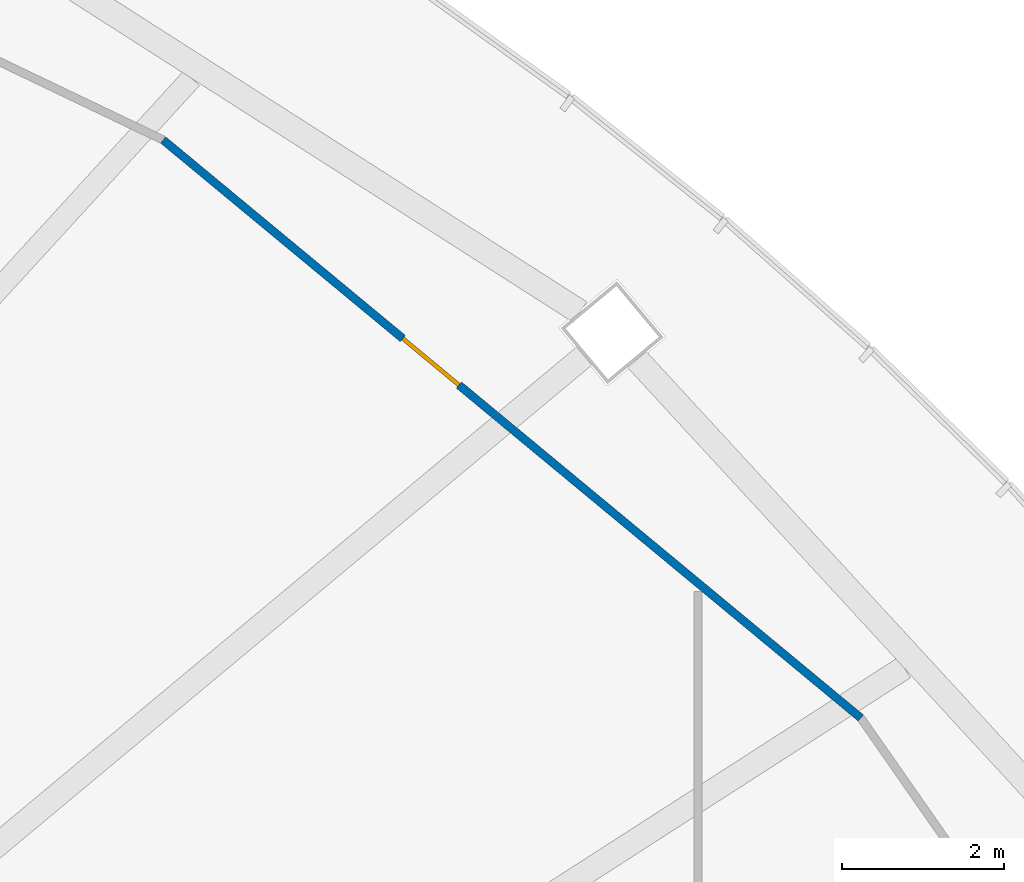
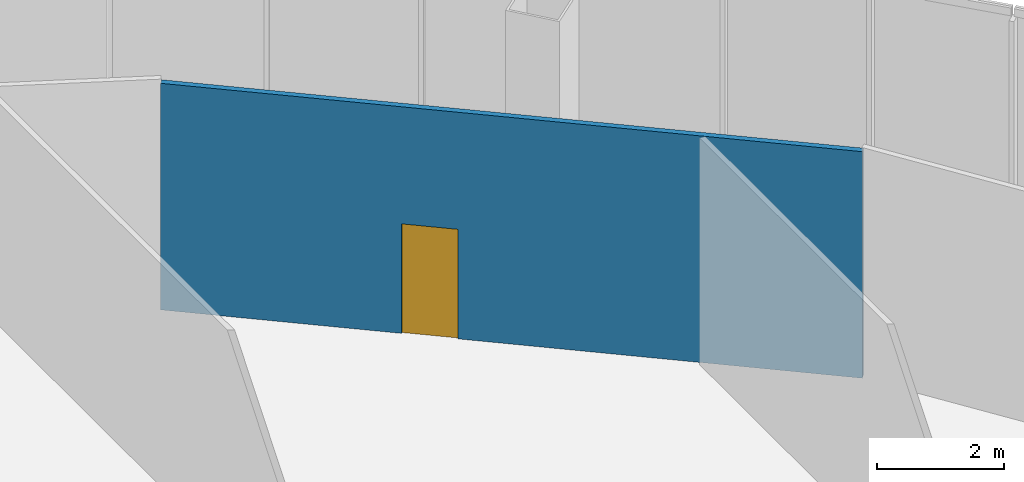
# One storey, part 28 of 42: 1 door, 1 wall, 1 opening.
"""IFC4 building model written with IfcOpenShell, lengths in metres."""

from ifc_helpers import new_model, si_unit, direction, frame, frame_2d, origin, place, context, subcontext, project, spatial, rectangle, extrude, material, layer, layer_set, type_object, element, fill, save


model = new_model("IFC4")

# Units and contexts
model_context = context("Model", 3, precision=1e-05, world=origin(), true_north=direction((0.0, 1.0)))
body_context = subcontext(model_context, "Body", "Model", "MODEL_VIEW")
ifc_project = project(units=[si_unit("LENGTHUNIT", "METRE"), si_unit("AREAUNIT", "SQUARE_METRE"), si_unit("VOLUMEUNIT", "CUBIC_METRE"), si_unit("PLANEANGLEUNIT", "RADIAN"), si_unit("MASSUNIT", "GRAM", prefix="KILO")], contexts=[model_context])

# Site, building, storey
site_placement = place(None, origin())
site = spatial("IfcSite", under=ifc_project, at=site_placement, CompositionType="ELEMENT")
building_placement = place(site_placement, origin())
building = spatial("IfcBuilding", under=site, at=building_placement, Name="Sahrelin Media Tower", CompositionType="ELEMENT")
storey_placement = place(building_placement, frame((0.0, 0.0, 26.0)))
storey = spatial("IfcBuildingStorey", under=building, at=storey_placement, Name="L03", CompositionType="ELEMENT", Elevation=26.0)

# Wall, opening, door
ifc_material_1 = material(Name="Gypsum board partition")
ifc_layer = layer(ifc_material_1, 0.10009765625)
ifc_layer_set = layer_set([ifc_layer], Name="Partition 100")
wall_type = type_object("IfcWallType", Name="Partition 100", PredefinedType="PARTITIONING", material=ifc_layer_set)
wall_placement = place(storey_placement, frame((37.010009765625, 23.528564453125, 0.0), z_axis=(0.0, 0.0, 1.0), x_axis=(-0.770046995363, 0.637987166746, 0.0)))
wall = element("IfcWall", 1, at=wall_placement, inside=storey, type_object=wall_type, Name="Wall", PredefinedType="PARTITIONING", context=body_context, shape_type="SweptSolid", body=[
    extrude(rectangle(XDim=11.182861328125, YDim=0.10009765625, at=frame_2d((5.59130859375, 0.0))), origin(), (0.0, 0.0, 1.0), 4.34521484375),
])
opening_placement = place(wall_placement, frame((6.44091796875, 0.0, 0.0)))
opening = element("IfcOpeningElement", 2, at=opening_placement, cuts=wall, Name="Opening L03-D32", PredefinedType="OPENING", context=body_context, shape_type="SweptSolid", body=[
    extrude(rectangle(XDim=0.89990234375, YDim=2.10009765625, at=frame_2d((0.449951171875, 1.050048828125))), frame((0.0, 0.050048828125, 0.0), z_axis=(0.0, -1.0, 0.0), x_axis=(1.0, 0.0, 0.0)), (0.0, 0.0, 1.0), 0.10009765625),
])
ifc_material_2 = material(Name="Timber door leaf", Category="wood")
door_type = type_object("IfcDoorType", Name="Single door 900 x 2100", OperationType="NOTDEFINED", PredefinedType="DOOR", material=ifc_material_2)
door_placement = place(opening_placement, origin())
door = element("IfcDoor", 3, at=door_placement, inside=storey, type_object=door_type, Name="Single door", OperationType="SINGLE_SWING_RIGHT", OverallHeight=2.10009765625, OverallWidth=0.89990234375, PredefinedType="DOOR", context=body_context, shape_type="SweptSolid", body=[
    extrude(rectangle(XDim=0.89990234375, YDim=2.10009765625, at=frame_2d((0.449951171875, 1.050048828125))), frame((0.0, 0.02490234375, 0.0), z_axis=(0.0, -1.0, 0.0), x_axis=(1.0, 0.0, 0.0)), (0.0, 0.0, 1.0), 0.050048828125),
])
fill(opening, door)

save(model, "model.ifc")
